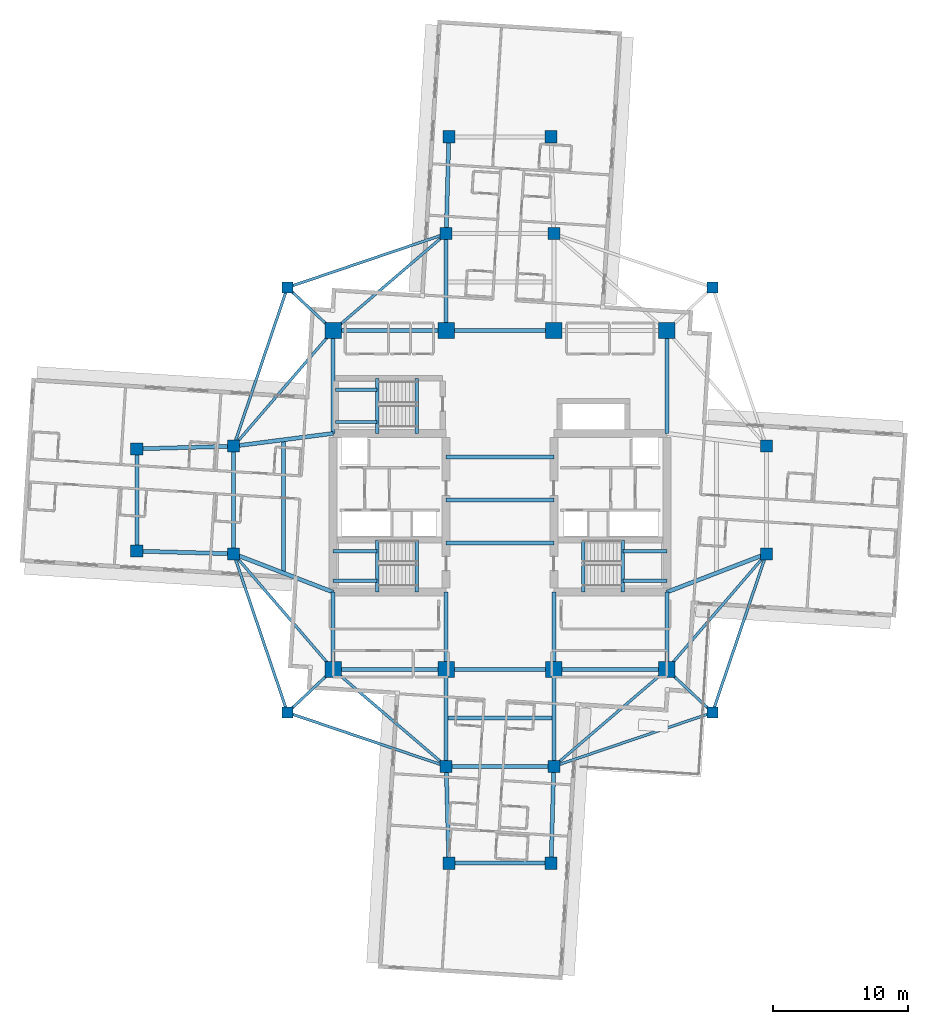
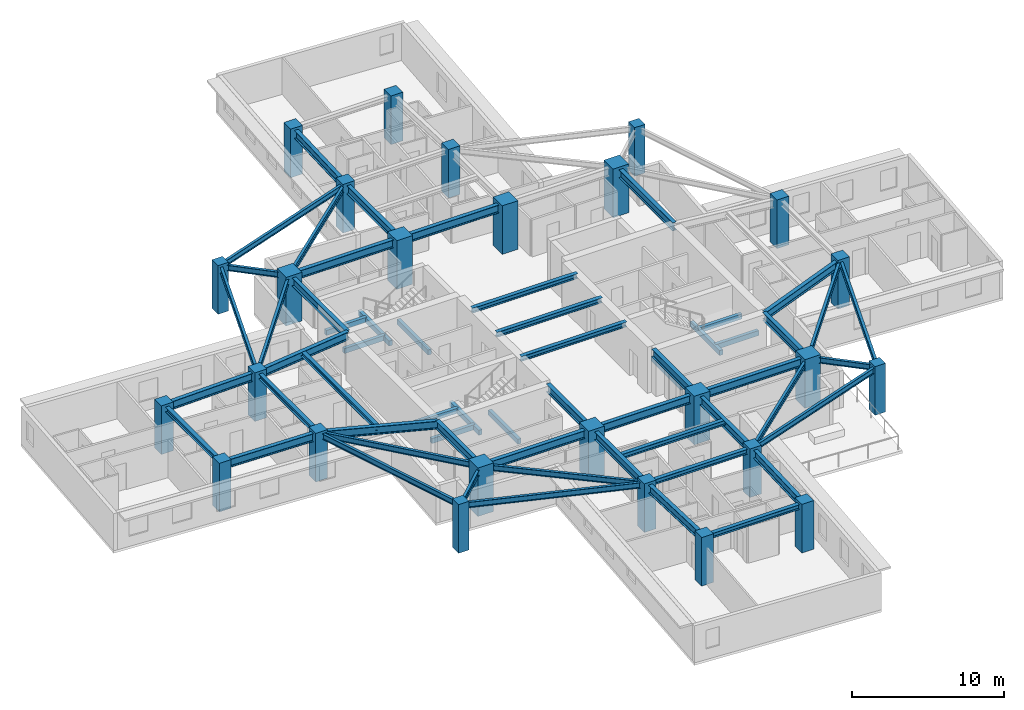
# One storey, part 1 of 14: 58 beams, 26 columns.
"""IFC4 building model written with IfcOpenShell, lengths in metres."""

from ifc_helpers import new_model, si_unit, direction, frame, origin, origin_2d, place, context, subcontext, project, spatial, rectangle, i_section, extrude, material, material_profile, profile_set, type_object, element, save


model = new_model("IFC4")

# Units and contexts
model_context = context("Model", 3, precision=1e-05, world=origin(), true_north=direction((0.0, 1.0)))
body_context = subcontext(model_context, "Body", "Model", "MODEL_VIEW")
ifc_project = project(units=[si_unit("LENGTHUNIT", "METRE"), si_unit("AREAUNIT", "SQUARE_METRE"), si_unit("VOLUMEUNIT", "CUBIC_METRE"), si_unit("PLANEANGLEUNIT", "RADIAN"), si_unit("MASSUNIT", "GRAM", prefix="KILO")], contexts=[model_context])

# Site, building, storey
site_placement = place(None, origin())
site = spatial("IfcSite", under=ifc_project, at=site_placement, CompositionType="ELEMENT")
building_placement = place(site_placement, origin())
building = spatial("IfcBuilding", under=site, at=building_placement, Name="Qingluan Cross Belvedere", CompositionType="ELEMENT")
storey_placement = place(building_placement, frame((0.0, 0.0, 168.300048828125)))
storey = spatial("IfcBuildingStorey", under=building, at=storey_placement, Name="L42", CompositionType="ELEMENT", Elevation=168.300048828125)

# Columns
ifc_material_1 = material(Name="Concrete C60", Category="concrete")
ifc_material_profile_1 = material_profile(ifc_material_1, rectangle(XDim=1.199951171875, YDim=1.199951171875, at=origin_2d()), Name="RC1200x1200")
ifc_profile_set_1 = profile_set([ifc_material_profile_1], Name="Concrete C60")
column_type_1 = type_object("IfcColumnType", Name="Column_RC1200x1200", PredefinedType="COLUMN", material=ifc_profile_set_1)
for number, where, z_axis, x_axis, name in (
    (1, (-12.39990234375, -12.60009765625, 0.0), (0.0, 0.0, 1.0), (1.0, 0.0, 0.0), "Hub column L42-HC1"),
    (2, (12.39990234375, -12.60009765625, 0.0), (0.0, 0.0, 1.0), (1.0, 0.0, 0.0), "Hub column L42-HC2"),
    (3, (12.39990234375, 12.60009765625, 0.0), (0.0, 0.0, 1.0), (1.0, 0.0, 0.0), "Hub column L42-HC3"),
    (4, (-12.39990234375, 12.60009765625, 0.0), (0.0, 0.0, 1.0), (1.0, 0.0, 0.0), "Hub column L42-HC4"),
    (5, (-4.0, -12.60009765625, 0.0), (0.0, 0.0, 1.0), (1.0, 0.0, 0.0), "Hub column L42-HC5"),
    (6, (4.0, -12.60009765625, 0.0), (0.0, 0.0, 1.0), (1.0, 0.0, 0.0), "Hub column L42-HC6"),
    (7, (4.0, 12.60009765625, 0.0), (0.0, 0.0, 1.0), (1.0, 0.0, 0.0), "Hub column L42-HC7"),
    (8, (-4.0, 12.60009765625, 0.0), (0.0, 0.0, 1.0), (1.0, 0.0, 0.0), "Hub column L42-HC8"),
):
    element("IfcColumn", number, at=place(storey_placement, frame(where, z_axis=z_axis, x_axis=x_axis)), inside=storey, type_object=column_type_1, Name=name, PredefinedType="COLUMN", context=body_context, shape_type="SweptSolid", body=[
        extrude(rectangle(XDim=1.199951171875, YDim=1.199951171875, at=origin_2d()), origin(), (0.0, 0.0, 1.0), 3.89990234375),
    ])
ifc_material_2 = material(Name="Concrete C50", Category="concrete")
ifc_material_profile_2 = material_profile(ifc_material_2, rectangle(XDim=0.800048828125, YDim=0.800048828125, at=origin_2d()), Name="RC800x800")
ifc_profile_set_2 = profile_set([ifc_material_profile_2], Name="Concrete C50")
column_type_2 = type_object("IfcColumnType", Name="Column_RC800x800", PredefinedType="COLUMN", material=ifc_profile_set_2)
for number, where, z_axis, x_axis, name in (
    (9, (15.800048828125, 15.800048828125, 0.0), (0.0, 0.0, 1.0), (1.0, 0.0, 0.0), "Corner column L42-RNE"),
    (10, (-15.800048828125, 15.800048828125, 0.0), (0.0, 0.0, 1.0), (1.0, 0.0, 0.0), "Corner column L42-RNW"),
    (11, (-15.800048828125, -15.800048828125, 0.0), (0.0, 0.0, 1.0), (1.0, 0.0, 0.0), "Corner column L42-RSW"),
    (12, (15.800048828125, -15.800048828125, 0.0), (0.0, 0.0, 1.0), (1.0, 0.0, 0.0), "Corner column L42-RSE"),
):
    element("IfcColumn", number, at=place(storey_placement, frame(where, z_axis=z_axis, x_axis=x_axis)), inside=storey, type_object=column_type_2, Name=name, PredefinedType="COLUMN", context=body_context, shape_type="SweptSolid", body=[
        extrude(rectangle(XDim=0.800048828125, YDim=0.800048828125, at=origin_2d()), origin(), (0.0, 0.0, 1.0), 3.89990234375),
    ])
ifc_material_3 = material(Name="Concrete C50", Category="concrete")
ifc_material_profile_3 = material_profile(ifc_material_3, rectangle(XDim=0.89990234375, YDim=0.89990234375, at=origin_2d()), Name="RC900x900")
ifc_profile_set_3 = profile_set([ifc_material_profile_3], Name="Concrete C50")
column_type_3 = type_object("IfcColumnType", Name="Column_RC900x900", PredefinedType="COLUMN", material=ifc_profile_set_3)
for number, where, z_axis, x_axis, name in (
    (13, (19.800048828125, -4.0, 0.0), (0.0, 0.0, 1.0), (1.0, 0.0, 0.0), "Arm column L42-EIA"),
    (14, (19.800048828125, 4.0, 0.0), (0.0, 0.0, 1.0), (1.0, 0.0, 0.0), "Arm column L42-EIB"),
    (15, (-19.800048828125, -4.0, 0.0), (0.0, 0.0, 1.0), (1.0, 0.0, 0.0), "Arm column L42-WIA"),
    (16, (-19.800048828125, 4.0, 0.0), (0.0, 0.0, 1.0), (1.0, 0.0, 0.0), "Arm column L42-WIB"),
    (17, (-4.0, -19.800048828125, 0.0), (0.0, 0.0, 1.0), (1.0, 0.0, 0.0), "Arm column L42-SIA"),
    (18, (4.0, -19.800048828125, 0.0), (0.0, 0.0, 1.0), (1.0, 0.0, 0.0), "Arm column L42-SIB"),
    (19, (-4.0, 19.800048828125, 0.0), (0.0, 0.0, 1.0), (1.0, 0.0, 0.0), "Arm column L42-NIA"),
    (20, (4.0, 19.800048828125, 0.0), (0.0, 0.0, 1.0), (1.0, 0.0, 0.0), "Arm column L42-NIB"),
    (21, (-27.0, -3.800048828125, 0.0), (0.0, 0.0, 1.0), (1.0, 0.0, 0.0), "Arm column L42-WOA"),
    (22, (-27.0, 3.800048828125, 0.0), (0.0, 0.0, 1.0), (1.0, 0.0, 0.0), "Arm column L42-WOB"),
    (23, (-3.800048828125, -27.0, 0.0), (0.0, 0.0, 1.0), (1.0, 0.0, 0.0), "Arm column L42-SOA"),
    (24, (3.800048828125, -27.0, 0.0), (0.0, 0.0, 1.0), (1.0, 0.0, 0.0), "Arm column L42-SOB"),
    (25, (-3.800048828125, 27.0, 0.0), (0.0, 0.0, 1.0), (1.0, 0.0, 0.0), "Arm column L42-NOA"),
    (26, (3.800048828125, 27.0, 0.0), (0.0, 0.0, 1.0), (1.0, 0.0, 0.0), "Arm column L42-NOB"),
):
    element("IfcColumn", number, at=place(storey_placement, frame(where, z_axis=z_axis, x_axis=x_axis)), inside=storey, type_object=column_type_3, Name=name, PredefinedType="COLUMN", context=body_context, shape_type="SweptSolid", body=[
        extrude(rectangle(XDim=0.89990234375, YDim=0.89990234375, at=origin_2d()), origin(), (0.0, 0.0, 1.0), 3.89990234375),
    ])

# Beams
ifc_material_4 = material(Name="Concrete C45", Category="concrete")
ifc_material_profile_4 = material_profile(ifc_material_4, rectangle(XDim=0.25, YDim=0.39990234375, at=origin_2d()), Name="RC250x400")
ifc_profile_set_4 = profile_set([ifc_material_profile_4], Name="Concrete C45")
beam_type_1 = type_object("IfcBeamType", Name="RC_Lintel_RC250x400", PredefinedType="LINTEL", material=ifc_profile_set_4)
for number, where, z_axis, x_axis, name in (
    (27, (-6.179931640625, -6.85009765625, -0.199951171875), (0.0, 1.0, 0.0), (-1.0, 0.0, 0.0), "Stair ST1 landing beam L42"),
    (28, (6.179931640625, -6.85009765625, -0.199951171875), (0.0, 1.0, 0.0), (-1.0, 0.0, 0.0), "Stair ST2 landing beam L42"),
):
    element("IfcBeam", number, at=place(storey_placement, frame(where, z_axis=z_axis, x_axis=x_axis)), inside=storey, type_object=beam_type_1, Name=name, PredefinedType="LINTEL", context=body_context, shape_type="SweptSolid", body=[
        extrude(rectangle(XDim=0.25, YDim=0.39990234375, at=origin_2d()), origin(), (0.0, 0.0, 1.0), 3.89013671875),
    ])
beam_1_placement = place(storey_placement, frame((-6.179931640625, 4.949951171875, -0.199951171875), z_axis=(0.0, 1.0, 0.0), x_axis=(-1.0, 0.0, 0.0)))
element("IfcBeam", 29, at=beam_1_placement, inside=storey, type_object=beam_type_1, Name="Stair ST3 landing beam L42", PredefinedType="LINTEL", context=body_context, shape_type="SweptSolid", body=[
    extrude(rectangle(XDim=0.25, YDim=0.39990234375, at=origin_2d()), origin(), (0.0, 0.0, 1.0), 4.090087890625),
])
beam_2_placement = place(storey_placement, frame((-9.1298828125, -6.85009765625, 1.550048828125), z_axis=(0.0, 1.0, 0.0), x_axis=(-1.0, 0.0, 0.0)))
element("IfcBeam", 30, at=beam_2_placement, inside=storey, type_object=beam_type_1, Name="Stair ST1 beam A L42", PredefinedType="LINTEL", context=body_context, shape_type="SweptSolid", body=[
    extrude(rectangle(XDim=0.25, YDim=0.39990234375, at=origin_2d()), origin(), (0.0, 0.0, 1.0), 3.89013671875),
])
for number, where, z_axis, x_axis, name in (
    (31, (-12.39990234375, -6.0, 1.550048828125), (1.0, 0.0, 0.0), (0.0, 1.0, 0.0), "Stair ST1 beam B L42"),
    (32, (-12.39990234375, -3.81005859375, 1.550048828125), (1.0, 0.0, 0.0), (0.0, 1.0, 0.0), "Stair ST1 beam C L42"),
):
    element("IfcBeam", number, at=place(storey_placement, frame(where, z_axis=z_axis, x_axis=x_axis)), inside=storey, type_object=beam_type_1, Name=name, PredefinedType="LINTEL", context=body_context, shape_type="SweptSolid", body=[
        extrude(rectangle(XDim=0.25, YDim=0.39990234375, at=origin_2d()), origin(), (0.0, 0.0, 1.0), 3.27001953125),
    ])
beam_3_placement = place(storey_placement, frame((9.1298828125, -6.85009765625, 1.550048828125), z_axis=(0.0, 1.0, 0.0), x_axis=(-1.0, 0.0, 0.0)))
element("IfcBeam", 33, at=beam_3_placement, inside=storey, type_object=beam_type_1, Name="Stair ST2 beam A L42", PredefinedType="LINTEL", context=body_context, shape_type="SweptSolid", body=[
    extrude(rectangle(XDim=0.25, YDim=0.39990234375, at=origin_2d()), origin(), (0.0, 0.0, 1.0), 3.89013671875),
])
for number, where, z_axis, x_axis, name in (
    (34, (12.39990234375, -6.0, 1.550048828125), (-1.0, 0.0, 0.0), (0.0, -1.0, 0.0), "Stair ST2 beam B L42"),
    (35, (12.39990234375, -3.81005859375, 1.550048828125), (-1.0, 0.0, 0.0), (0.0, -1.0, 0.0), "Stair ST2 beam C L42"),
):
    element("IfcBeam", number, at=place(storey_placement, frame(where, z_axis=z_axis, x_axis=x_axis)), inside=storey, type_object=beam_type_1, Name=name, PredefinedType="LINTEL", context=body_context, shape_type="SweptSolid", body=[
        extrude(rectangle(XDim=0.25, YDim=0.39990234375, at=origin_2d()), origin(), (0.0, 0.0, 1.0), 3.27001953125),
    ])
beam_4_placement = place(storey_placement, frame((-9.1298828125, 4.949951171875, 1.550048828125), z_axis=(0.0, 1.0, 0.0), x_axis=(-1.0, 0.0, 0.0)))
element("IfcBeam", 36, at=beam_4_placement, inside=storey, type_object=beam_type_1, Name="Stair ST3 beam A L42", PredefinedType="LINTEL", context=body_context, shape_type="SweptSolid", body=[
    extrude(rectangle(XDim=0.25, YDim=0.39990234375, at=origin_2d()), origin(), (0.0, 0.0, 1.0), 4.090087890625),
])
for number, where, z_axis, x_axis, name in (
    (37, (-12.219970703125, 5.800048828125, 1.550048828125), (1.0, 0.0, 0.0), (0.0, 1.0, 0.0), "Stair ST3 beam B L42"),
    (38, (-12.219970703125, 8.18994140625, 1.550048828125), (1.0, 0.0, 0.0), (0.0, 1.0, 0.0), "Stair ST3 beam C L42"),
):
    element("IfcBeam", number, at=place(storey_placement, frame(where, z_axis=z_axis, x_axis=x_axis)), inside=storey, type_object=beam_type_1, Name=name, PredefinedType="LINTEL", context=body_context, shape_type="SweptSolid", body=[
        extrude(rectangle(XDim=0.25, YDim=0.39990234375, at=origin_2d()), origin(), (0.0, 0.0, 1.0), 3.090087890625),
    ])
ifc_material_5 = material(Name="Steel Q420GJB", Category="steel")
ifc_material_profile_5 = material_profile(ifc_material_5, i_section(OverallWidth=0.300048828125, OverallDepth=0.389892578125, WebThickness=0.010009765625, FlangeThickness=0.01611328125, FilletRadius=0.01806640625, at=origin_2d()), Name="HM390x300x10x16")
ifc_profile_set_5 = profile_set([ifc_material_profile_5], Name="Steel Q420GJB")
beam_type_2 = type_object("IfcBeamType", Name="Steel_Beam_HM390x300x10x16", PredefinedType="BEAM", material=ifc_profile_set_5)
for number, where, z_axis, x_axis, name in (
    (39, (-4.0, -3.199951171875, 3.5048828125), (1.0, 0.0, 0.0), (0.0, 1.0, 0.0), "Hall beam L42-CH1"),
    (40, (-4.0, 0.0, 3.5048828125), (1.0, 0.0, 0.0), (0.0, 1.0, 0.0), "Hall beam L42-CH2"),
    (41, (-4.0, 3.199951171875, 3.5048828125), (1.0, 0.0, 0.0), (0.0, 1.0, 0.0), "Hall beam L42-CH3"),
    (42, (-19.800048828125, -4.0, 3.5048828125), (0.0, 1.0, 0.0), (-1.0, 0.0, 0.0), "Arm W tie L42"),
):
    element("IfcBeam", number, at=place(storey_placement, frame(where, z_axis=z_axis, x_axis=x_axis)), inside=storey, type_object=beam_type_2, Name=name, PredefinedType="BEAM", context=body_context, shape_type="SweptSolid", body=[
        extrude(i_section(OverallWidth=0.300048828125, OverallDepth=0.389892578125, WebThickness=0.010009765625, FlangeThickness=0.01611328125, FilletRadius=0.01806640625, at=origin_2d()), origin(), (0.0, 0.0, 1.0), 8.0),
    ])
beam_5_placement = place(storey_placement, frame((-16.10009765625, -5.425048828125, 3.5048828125), z_axis=(0.0, 1.0, 0.0), x_axis=(-1.0, 0.0, 0.0)))
element("IfcBeam", 43, at=beam_5_placement, inside=storey, type_object=beam_type_2, Name="Arm W beam L42", PredefinedType="BEAM", context=body_context, shape_type="SweptSolid", body=[
    extrude(i_section(OverallWidth=0.300048828125, OverallDepth=0.389892578125, WebThickness=0.010009765625, FlangeThickness=0.01611328125, FilletRadius=0.01806640625, at=origin_2d()), origin(), (0.0, 0.0, 1.0), 9.900146484375),
])
beam_6_placement = place(storey_placement, frame((-27.0, -3.800048828125, 3.5048828125), z_axis=(0.0, 1.0, 0.0), x_axis=(-1.0, 0.0, 0.0)))
element("IfcBeam", 44, at=beam_6_placement, inside=storey, type_object=beam_type_2, Name="Arm W tip transverse beam L42", PredefinedType="BEAM", context=body_context, shape_type="SweptSolid", body=[
    extrude(i_section(OverallWidth=0.300048828125, OverallDepth=0.389892578125, WebThickness=0.010009765625, FlangeThickness=0.01611328125, FilletRadius=0.01806640625, at=origin_2d()), origin(), (0.0, 0.0, 1.0), 7.60009765625),
])
for number, where, z_axis, x_axis, name in (
    (45, (-4.0, -19.800048828125, 3.5048828125), (1.0, 0.0, 0.0), (0.0, 1.0, 0.0), "Arm S tie L42"),
    (46, (-4.0, -16.199951171875, 3.5048828125), (1.0, 0.0, 0.0), (0.0, 1.0, 0.0), "Arm S beam L42"),
):
    element("IfcBeam", number, at=place(storey_placement, frame(where, z_axis=z_axis, x_axis=x_axis)), inside=storey, type_object=beam_type_2, Name=name, PredefinedType="BEAM", context=body_context, shape_type="SweptSolid", body=[
        extrude(i_section(OverallWidth=0.300048828125, OverallDepth=0.389892578125, WebThickness=0.010009765625, FlangeThickness=0.01611328125, FilletRadius=0.01806640625, at=origin_2d()), origin(), (0.0, 0.0, 1.0), 8.0),
    ])
beam_7_placement = place(storey_placement, frame((-3.800048828125, -27.0, 3.5048828125), z_axis=(1.0, 0.0, 0.0), x_axis=(0.0, 1.0, 0.0)))
element("IfcBeam", 47, at=beam_7_placement, inside=storey, type_object=beam_type_2, Name="Arm S tip transverse beam L42", PredefinedType="BEAM", context=body_context, shape_type="SweptSolid", body=[
    extrude(i_section(OverallWidth=0.300048828125, OverallDepth=0.389892578125, WebThickness=0.010009765625, FlangeThickness=0.01611328125, FilletRadius=0.01806640625, at=origin_2d()), origin(), (0.0, 0.0, 1.0), 7.60009765625),
])
ifc_material_6 = material(Name="Steel Q420GJB", Category="steel")
ifc_material_profile_6 = material_profile(ifc_material_6, i_section(OverallWidth=0.199951171875, OverallDepth=0.449951171875, WebThickness=0.009033203125, FlangeThickness=0.013916015625, FilletRadius=0.01611328125, at=origin_2d()), Name="HN450x200x9x14")
ifc_profile_set_6 = profile_set([ifc_material_profile_6], Name="Steel Q420GJB")
beam_type_3 = type_object("IfcBeamType", Name="Steel_Beam_HN450x200x9x14", PredefinedType="JOIST", material=ifc_profile_set_6)
beam_8_placement = place(storey_placement, frame((-12.39990234375, 12.60009765625, 3.474853515625), z_axis=(-0.728219948308, 0.685343495546, 0.0), x_axis=(-0.685343495546, -0.728219948308, 0.0)))
element("IfcBeam", 48, at=beam_8_placement, inside=storey, type_object=beam_type_3, Name="Corner beam 1 L42-RNW", PredefinedType="JOIST", context=body_context, shape_type="SweptSolid", body=[
    extrude(i_section(OverallWidth=0.199951171875, OverallDepth=0.449951171875, WebThickness=0.009033203125, FlangeThickness=0.013916015625, FilletRadius=0.01611328125, at=origin_2d()), origin(), (0.0, 0.0, 1.0), 4.669189453125),
])
for number, where, z_axis, x_axis, name in (
    (49, (-15.800048828125, 15.800048828125, 3.474853515625), (0.947066283324, 0.321038089628, 0.0), (-0.321038089628, 0.947066283324, 0.0), "Corner beam 2 L42-RNW"),
    (50, (-15.800048828125, 15.800048828125, 3.474853515625), (-0.321038089628, -0.947066283324, 0.0), (0.947066283324, -0.321038089628, 0.0), "Corner beam 3 L42-RNW"),
):
    element("IfcBeam", number, at=place(storey_placement, frame(where, z_axis=z_axis, x_axis=x_axis)), inside=storey, type_object=beam_type_3, Name=name, PredefinedType="JOIST", context=body_context, shape_type="SweptSolid", body=[
        extrude(i_section(OverallWidth=0.199951171875, OverallDepth=0.449951171875, WebThickness=0.009033203125, FlangeThickness=0.013916015625, FilletRadius=0.01611328125, at=origin_2d()), origin(), (0.0, 0.0, 1.0), 12.45947265625),
    ])
beam_9_placement = place(storey_placement, frame((-12.39990234375, 12.60009765625, 3.474853515625), z_axis=(-0.652245077546, -0.75800815221, 0.0), x_axis=(0.75800815221, -0.652245077546, 0.0)))
element("IfcBeam", 51, at=beam_9_placement, inside=storey, type_object=beam_type_3, Name="Corner beam 4 L42-RNW", PredefinedType="JOIST", context=body_context, shape_type="SweptSolid", body=[
    extrude(i_section(OverallWidth=0.199951171875, OverallDepth=0.449951171875, WebThickness=0.009033203125, FlangeThickness=0.013916015625, FilletRadius=0.01611328125, at=origin_2d()), origin(), (0.0, 0.0, 1.0), 11.345703125),
])
beam_10_placement = place(storey_placement, frame((-12.39990234375, 12.60009765625, 3.474853515625), z_axis=(0.759255044656, 0.650793190779, 0.0), x_axis=(-0.650793190779, 0.759255044656, 0.0)))
element("IfcBeam", 52, at=beam_10_placement, inside=storey, type_object=beam_type_3, Name="Corner beam 5 L42-RNW", PredefinedType="JOIST", context=body_context, shape_type="SweptSolid", body=[
    extrude(i_section(OverallWidth=0.199951171875, OverallDepth=0.449951171875, WebThickness=0.009033203125, FlangeThickness=0.013916015625, FilletRadius=0.01611328125, at=origin_2d()), origin(), (0.0, 0.0, 1.0), 11.063232421875),
])
beam_11_placement = place(storey_placement, frame((-12.39990234375, -12.60009765625, 3.474853515625), z_axis=(-0.728219948308, -0.685343495546, 0.0), x_axis=(0.685343495546, -0.728219948308, 0.0)))
element("IfcBeam", 53, at=beam_11_placement, inside=storey, type_object=beam_type_3, Name="Corner beam 1 L42-RSW", PredefinedType="JOIST", context=body_context, shape_type="SweptSolid", body=[
    extrude(i_section(OverallWidth=0.199951171875, OverallDepth=0.449951171875, WebThickness=0.009033203125, FlangeThickness=0.013916015625, FilletRadius=0.01611328125, at=origin_2d()), origin(), (0.0, 0.0, 1.0), 4.669189453125),
])
for number, where, z_axis, x_axis, name in (
    (54, (-15.800048828125, -15.800048828125, 3.474853515625), (0.947066283324, -0.321038089628, 0.0), (0.321038089628, 0.947066283324, 0.0), "Corner beam 2 L42-RSW"),
    (55, (-15.800048828125, -15.800048828125, 3.474853515625), (-0.321038089628, 0.947066283324, 0.0), (-0.947066283324, -0.321038089628, 0.0), "Corner beam 3 L42-RSW"),
):
    element("IfcBeam", number, at=place(storey_placement, frame(where, z_axis=z_axis, x_axis=x_axis)), inside=storey, type_object=beam_type_3, Name=name, PredefinedType="JOIST", context=body_context, shape_type="SweptSolid", body=[
        extrude(i_section(OverallWidth=0.199951171875, OverallDepth=0.449951171875, WebThickness=0.009033203125, FlangeThickness=0.013916015625, FilletRadius=0.01611328125, at=origin_2d()), origin(), (0.0, 0.0, 1.0), 12.45947265625),
    ])
beam_12_placement = place(storey_placement, frame((-12.39990234375, -12.60009765625, 3.474853515625), z_axis=(-0.652245077546, 0.75800815221, 0.0), x_axis=(-0.75800815221, -0.652245077546, 0.0)))
element("IfcBeam", 56, at=beam_12_placement, inside=storey, type_object=beam_type_3, Name="Corner beam 4 L42-RSW", PredefinedType="JOIST", context=body_context, shape_type="SweptSolid", body=[
    extrude(i_section(OverallWidth=0.199951171875, OverallDepth=0.449951171875, WebThickness=0.009033203125, FlangeThickness=0.013916015625, FilletRadius=0.01611328125, at=origin_2d()), origin(), (0.0, 0.0, 1.0), 11.345703125),
])
beam_13_placement = place(storey_placement, frame((-12.39990234375, -12.60009765625, 3.474853515625), z_axis=(0.759255044656, -0.650793190779, 0.0), x_axis=(0.650793190779, 0.759255044656, 0.0)))
element("IfcBeam", 57, at=beam_13_placement, inside=storey, type_object=beam_type_3, Name="Corner beam 5 L42-RSW", PredefinedType="JOIST", context=body_context, shape_type="SweptSolid", body=[
    extrude(i_section(OverallWidth=0.199951171875, OverallDepth=0.449951171875, WebThickness=0.009033203125, FlangeThickness=0.013916015625, FilletRadius=0.01611328125, at=origin_2d()), origin(), (0.0, 0.0, 1.0), 11.063232421875),
])
beam_14_placement = place(storey_placement, frame((12.39990234375, -12.60009765625, 3.454833984375), z_axis=(0.728219948308, -0.685343495546, 0.0), x_axis=(0.685343495546, 0.728219948308, 0.0)))
element("IfcBeam", 58, at=beam_14_placement, inside=storey, type_object=beam_type_3, Name="Corner beam 1 L42-RSE", PredefinedType="JOIST", context=body_context, shape_type="SweptSolid", body=[
    extrude(i_section(OverallWidth=0.199951171875, OverallDepth=0.449951171875, WebThickness=0.009033203125, FlangeThickness=0.013916015625, FilletRadius=0.01611328125, at=origin_2d()), origin(), (0.0, 0.0, 1.0), 4.669189453125),
])
for number, where, z_axis, x_axis, name in (
    (59, (15.800048828125, -15.800048828125, 3.454833984375), (-0.947066283324, -0.321038089628, 0.0), (0.321038089628, -0.947066283324, 0.0), "Corner beam 2 L42-RSE"),
    (60, (15.800048828125, -15.800048828125, 3.474853515625), (0.321038089628, 0.947066283324, 0.0), (-0.947066283324, 0.321038089628, 0.0), "Corner beam 3 L42-RSE"),
):
    element("IfcBeam", number, at=place(storey_placement, frame(where, z_axis=z_axis, x_axis=x_axis)), inside=storey, type_object=beam_type_3, Name=name, PredefinedType="JOIST", context=body_context, shape_type="SweptSolid", body=[
        extrude(i_section(OverallWidth=0.199951171875, OverallDepth=0.449951171875, WebThickness=0.009033203125, FlangeThickness=0.013916015625, FilletRadius=0.01611328125, at=origin_2d()), origin(), (0.0, 0.0, 1.0), 12.45947265625),
    ])
beam_15_placement = place(storey_placement, frame((12.39990234375, -12.60009765625, 3.454833984375), z_axis=(0.652245077546, 0.75800815221, 0.0), x_axis=(-0.75800815221, 0.652245077546, 0.0)))
element("IfcBeam", 61, at=beam_15_placement, inside=storey, type_object=beam_type_3, Name="Corner beam 4 L42-RSE", PredefinedType="JOIST", context=body_context, shape_type="SweptSolid", body=[
    extrude(i_section(OverallWidth=0.199951171875, OverallDepth=0.449951171875, WebThickness=0.009033203125, FlangeThickness=0.013916015625, FilletRadius=0.01611328125, at=origin_2d()), origin(), (0.0, 0.0, 1.0), 11.345703125),
])
beam_16_placement = place(storey_placement, frame((12.39990234375, -12.60009765625, 3.454833984375), z_axis=(-0.759255044656, -0.650793190779, 0.0), x_axis=(0.650793190779, -0.759255044656, 0.0)))
element("IfcBeam", 62, at=beam_16_placement, inside=storey, type_object=beam_type_3, Name="Corner beam 5 L42-RSE", PredefinedType="JOIST", context=body_context, shape_type="SweptSolid", body=[
    extrude(i_section(OverallWidth=0.199951171875, OverallDepth=0.449951171875, WebThickness=0.009033203125, FlangeThickness=0.013916015625, FilletRadius=0.01611328125, at=origin_2d()), origin(), (0.0, 0.0, 1.0), 11.063232421875),
])
ifc_material_7 = material(Name="Steel Q420GJB", Category="steel")
ifc_material_profile_7 = material_profile(ifc_material_7, i_section(OverallWidth=0.300048828125, OverallDepth=0.64990234375, WebThickness=0.014404296875, FlangeThickness=0.02587890625, FilletRadius=0.027099609375, at=origin_2d()), Name="HEB650")
ifc_profile_set_7 = profile_set([ifc_material_profile_7], Name="Steel Q420GJB")
beam_type_4 = type_object("IfcBeamType", Name="Steel_Girder_HEB650", PredefinedType="USERDEFINED", material=ifc_profile_set_7)
beam_17_placement = place(storey_placement, frame((-12.39990234375, -12.60009765625, 3.375), z_axis=(1.0, 0.0, 0.0), x_axis=(0.0, 1.0, 0.0)))
element("IfcBeam", 63, at=beam_17_placement, inside=storey, type_object=beam_type_4, Name="Hub girder L42-HG-S1", ObjectType="GIRDER", PredefinedType="USERDEFINED", context=body_context, shape_type="SweptSolid", body=[
    extrude(i_section(OverallWidth=0.300048828125, OverallDepth=0.64990234375, WebThickness=0.014404296875, FlangeThickness=0.02587890625, FilletRadius=0.027099609375, at=origin_2d()), origin(), (0.0, 0.0, 1.0), 8.39990234375),
])
beam_18_placement = place(storey_placement, frame((-4.0, -12.60009765625, 3.375), z_axis=(1.0, 0.0, 0.0), x_axis=(0.0, 1.0, 0.0)))
element("IfcBeam", 64, at=beam_18_placement, inside=storey, type_object=beam_type_4, Name="Hub girder L42-HG-S2", ObjectType="GIRDER", PredefinedType="USERDEFINED", context=body_context, shape_type="SweptSolid", body=[
    extrude(i_section(OverallWidth=0.300048828125, OverallDepth=0.64990234375, WebThickness=0.014404296875, FlangeThickness=0.02587890625, FilletRadius=0.027099609375, at=origin_2d()), origin(), (0.0, 0.0, 1.0), 8.0),
])
for number, where, z_axis, x_axis, name in (
    (65, (4.0, -12.60009765625, 3.375), (1.0, 0.0, 0.0), (0.0, 1.0, 0.0), "Hub girder L42-HG-S3"),
    (66, (-12.39990234375, 12.60009765625, 3.375), (1.0, 0.0, 0.0), (0.0, 1.0, 0.0), "Hub girder L42-HG-N1"),
):
    element("IfcBeam", number, at=place(storey_placement, frame(where, z_axis=z_axis, x_axis=x_axis)), inside=storey, type_object=beam_type_4, Name=name, ObjectType="GIRDER", PredefinedType="USERDEFINED", context=body_context, shape_type="SweptSolid", body=[
        extrude(i_section(OverallWidth=0.300048828125, OverallDepth=0.64990234375, WebThickness=0.014404296875, FlangeThickness=0.02587890625, FilletRadius=0.027099609375, at=origin_2d()), origin(), (0.0, 0.0, 1.0), 8.39990234375),
    ])
beam_19_placement = place(storey_placement, frame((-4.0, 12.60009765625, 3.375), z_axis=(1.0, 0.0, 0.0), x_axis=(0.0, 1.0, 0.0)))
element("IfcBeam", 67, at=beam_19_placement, inside=storey, type_object=beam_type_4, Name="Hub girder L42-HG-N2", ObjectType="GIRDER", PredefinedType="USERDEFINED", context=body_context, shape_type="SweptSolid", body=[
    extrude(i_section(OverallWidth=0.300048828125, OverallDepth=0.64990234375, WebThickness=0.014404296875, FlangeThickness=0.02587890625, FilletRadius=0.027099609375, at=origin_2d()), origin(), (0.0, 0.0, 1.0), 8.0),
])
beam_20_placement = place(storey_placement, frame((-12.39990234375, -12.60009765625, 3.375), z_axis=(0.0, 1.0, 0.0), x_axis=(-1.0, 0.0, 0.0)))
element("IfcBeam", 68, at=beam_20_placement, inside=storey, type_object=beam_type_4, Name="Hub girder L42-HG-W1", ObjectType="GIRDER", PredefinedType="USERDEFINED", context=body_context, shape_type="SweptSolid", body=[
    extrude(i_section(OverallWidth=0.300048828125, OverallDepth=0.64990234375, WebThickness=0.014404296875, FlangeThickness=0.02587890625, FilletRadius=0.027099609375, at=origin_2d()), origin(), (0.0, 0.0, 1.0), 5.75),
])
beam_21_placement = place(storey_placement, frame((-12.39990234375, 4.949951171875, 3.375), z_axis=(0.0, 1.0, 0.0), x_axis=(-1.0, 0.0, 0.0)))
element("IfcBeam", 69, at=beam_21_placement, inside=storey, type_object=beam_type_4, Name="Hub girder L42-HG-W2", ObjectType="GIRDER", PredefinedType="USERDEFINED", context=body_context, shape_type="SweptSolid", body=[
    extrude(i_section(OverallWidth=0.300048828125, OverallDepth=0.64990234375, WebThickness=0.014404296875, FlangeThickness=0.02587890625, FilletRadius=0.027099609375, at=origin_2d()), origin(), (0.0, 0.0, 1.0), 7.650146484375),
])
beam_22_placement = place(storey_placement, frame((12.39990234375, -12.60009765625, 3.375), z_axis=(0.0, 1.0, 0.0), x_axis=(-1.0, 0.0, 0.0)))
element("IfcBeam", 70, at=beam_22_placement, inside=storey, type_object=beam_type_4, Name="Hub girder L42-HG-E1", ObjectType="GIRDER", PredefinedType="USERDEFINED", context=body_context, shape_type="SweptSolid", body=[
    extrude(i_section(OverallWidth=0.300048828125, OverallDepth=0.64990234375, WebThickness=0.014404296875, FlangeThickness=0.02587890625, FilletRadius=0.027099609375, at=origin_2d()), origin(), (0.0, 0.0, 1.0), 5.75),
])
beam_23_placement = place(storey_placement, frame((12.39990234375, 4.949951171875, 3.375), z_axis=(0.0, 1.0, 0.0), x_axis=(-1.0, 0.0, 0.0)))
element("IfcBeam", 71, at=beam_23_placement, inside=storey, type_object=beam_type_4, Name="Hub girder L42-HG-E2", ObjectType="GIRDER", PredefinedType="USERDEFINED", context=body_context, shape_type="SweptSolid", body=[
    extrude(i_section(OverallWidth=0.300048828125, OverallDepth=0.64990234375, WebThickness=0.014404296875, FlangeThickness=0.02587890625, FilletRadius=0.027099609375, at=origin_2d()), origin(), (0.0, 0.0, 1.0), 7.650146484375),
])
for number, where, z_axis, x_axis, name in (
    (72, (-4.0, -12.60009765625, 3.375), (0.0, 1.0, 0.0), (-1.0, 0.0, 0.0), "Hub girder L42-HG-CW"),
    (73, (4.0, -12.60009765625, 3.375), (0.0, 1.0, 0.0), (-1.0, 0.0, 0.0), "Hub girder L42-HG-CE"),
):
    element("IfcBeam", number, at=place(storey_placement, frame(where, z_axis=z_axis, x_axis=x_axis)), inside=storey, type_object=beam_type_4, Name=name, ObjectType="GIRDER", PredefinedType="USERDEFINED", context=body_context, shape_type="SweptSolid", body=[
        extrude(i_section(OverallWidth=0.300048828125, OverallDepth=0.64990234375, WebThickness=0.014404296875, FlangeThickness=0.02587890625, FilletRadius=0.027099609375, at=origin_2d()), origin(), (0.0, 0.0, 1.0), 5.75),
    ])
for number, where, z_axis, x_axis, name in (
    (74, (12.39990234375, -6.85009765625, 3.375), (0.933181258889, 0.359406090735, 0.0), (-0.359406090735, 0.933181258889, 0.0), "Arm E radial girder A L42"),
    (75, (-12.39990234375, -6.85009765625, 3.375), (-0.933181258889, 0.359406090735, 0.0), (-0.359406090735, -0.933181258889, 0.0), "Arm W radial girder A L42"),
):
    element("IfcBeam", number, at=place(storey_placement, frame(where, z_axis=z_axis, x_axis=x_axis)), inside=storey, type_object=beam_type_4, Name=name, ObjectType="GIRDER", PredefinedType="USERDEFINED", context=body_context, shape_type="SweptSolid", body=[
        extrude(i_section(OverallWidth=0.300048828125, OverallDepth=0.64990234375, WebThickness=0.014404296875, FlangeThickness=0.02587890625, FilletRadius=0.027099609375, at=origin_2d()), origin(), (0.0, 0.0, 1.0), 7.929931640625),
    ])
beam_24_placement = place(storey_placement, frame((-12.39990234375, 4.949951171875, 3.375), z_axis=(-0.991861120628, -0.12732445714, 0.0), x_axis=(0.12732445714, -0.991861120628, 0.0)))
element("IfcBeam", 76, at=beam_24_placement, inside=storey, type_object=beam_type_4, Name="Arm W radial girder B L42", ObjectType="GIRDER", PredefinedType="USERDEFINED", context=body_context, shape_type="SweptSolid", body=[
    extrude(i_section(OverallWidth=0.300048828125, OverallDepth=0.64990234375, WebThickness=0.014404296875, FlangeThickness=0.02587890625, FilletRadius=0.027099609375, at=origin_2d()), origin(), (0.0, 0.0, 1.0), 7.4609375),
])
for number, where, z_axis, x_axis, name in (
    (77, (-19.800048828125, -4.0, 3.375), (-0.999614603568, 0.027760481514, 0.0), (-0.027760481514, -0.999614603568, 0.0), "Arm W outer radial girder A L42"),
    (78, (-19.800048828125, 4.0, 3.375), (-0.999614603568, -0.027760481514, 0.0), (0.027760481514, -0.999614603568, 0.0), "Arm W outer radial girder B L42"),
):
    element("IfcBeam", number, at=place(storey_placement, frame(where, z_axis=z_axis, x_axis=x_axis)), inside=storey, type_object=beam_type_4, Name=name, ObjectType="GIRDER", PredefinedType="USERDEFINED", context=body_context, shape_type="SweptSolid", body=[
        extrude(i_section(OverallWidth=0.300048828125, OverallDepth=0.64990234375, WebThickness=0.014404296875, FlangeThickness=0.02587890625, FilletRadius=0.027099609375, at=origin_2d()), origin(), (0.0, 0.0, 1.0), 7.20263671875),
    ])
beam_25_placement = place(storey_placement, frame((-4.0, 12.60009765625, 3.375), z_axis=(0.0, 1.0, 0.0), x_axis=(-1.0, 0.0, 0.0)))
element("IfcBeam", 79, at=beam_25_placement, inside=storey, type_object=beam_type_4, Name="Arm N radial girder A L42", ObjectType="GIRDER", PredefinedType="USERDEFINED", context=body_context, shape_type="SweptSolid", body=[
    extrude(i_section(OverallWidth=0.300048828125, OverallDepth=0.64990234375, WebThickness=0.014404296875, FlangeThickness=0.02587890625, FilletRadius=0.027099609375, at=origin_2d()), origin(), (0.0, 0.0, 1.0), 7.199951171875),
])
beam_26_placement = place(storey_placement, frame((-4.0, 19.800048828125, 3.375), z_axis=(0.027760481514, 0.999614603568, 0.0), x_axis=(-0.999614603568, 0.027760481514, 0.0)))
element("IfcBeam", 80, at=beam_26_placement, inside=storey, type_object=beam_type_4, Name="Arm N outer radial girder A L42", ObjectType="GIRDER", PredefinedType="USERDEFINED", context=body_context, shape_type="SweptSolid", body=[
    extrude(i_section(OverallWidth=0.300048828125, OverallDepth=0.64990234375, WebThickness=0.014404296875, FlangeThickness=0.02587890625, FilletRadius=0.027099609375, at=origin_2d()), origin(), (0.0, 0.0, 1.0), 7.20263671875),
])
for number, where, z_axis, x_axis, name in (
    (81, (-4.0, -12.60009765625, 3.375), (0.0, -1.0, 0.0), (1.0, 0.0, 0.0), "Arm S radial girder A L42"),
    (82, (4.0, -12.60009765625, 3.375), (0.0, -1.0, 0.0), (1.0, 0.0, 0.0), "Arm S radial girder B L42"),
):
    element("IfcBeam", number, at=place(storey_placement, frame(where, z_axis=z_axis, x_axis=x_axis)), inside=storey, type_object=beam_type_4, Name=name, ObjectType="GIRDER", PredefinedType="USERDEFINED", context=body_context, shape_type="SweptSolid", body=[
        extrude(i_section(OverallWidth=0.300048828125, OverallDepth=0.64990234375, WebThickness=0.014404296875, FlangeThickness=0.02587890625, FilletRadius=0.027099609375, at=origin_2d()), origin(), (0.0, 0.0, 1.0), 7.199951171875),
    ])
for number, where, z_axis, x_axis, name in (
    (83, (-4.0, -19.800048828125, 3.375), (0.027760481514, -0.999614603568, 0.0), (0.999614603568, 0.027760481514, 0.0), "Arm S outer radial girder A L42"),
    (84, (4.0, -19.800048828125, 3.375), (-0.027760481514, -0.999614603568, 0.0), (0.999614603568, -0.027760481514, 0.0), "Arm S outer radial girder B L42"),
):
    element("IfcBeam", number, at=place(storey_placement, frame(where, z_axis=z_axis, x_axis=x_axis)), inside=storey, type_object=beam_type_4, Name=name, ObjectType="GIRDER", PredefinedType="USERDEFINED", context=body_context, shape_type="SweptSolid", body=[
        extrude(i_section(OverallWidth=0.300048828125, OverallDepth=0.64990234375, WebThickness=0.014404296875, FlangeThickness=0.02587890625, FilletRadius=0.027099609375, at=origin_2d()), origin(), (0.0, 0.0, 1.0), 7.20263671875),
    ])

save(model, "model.ifc")
